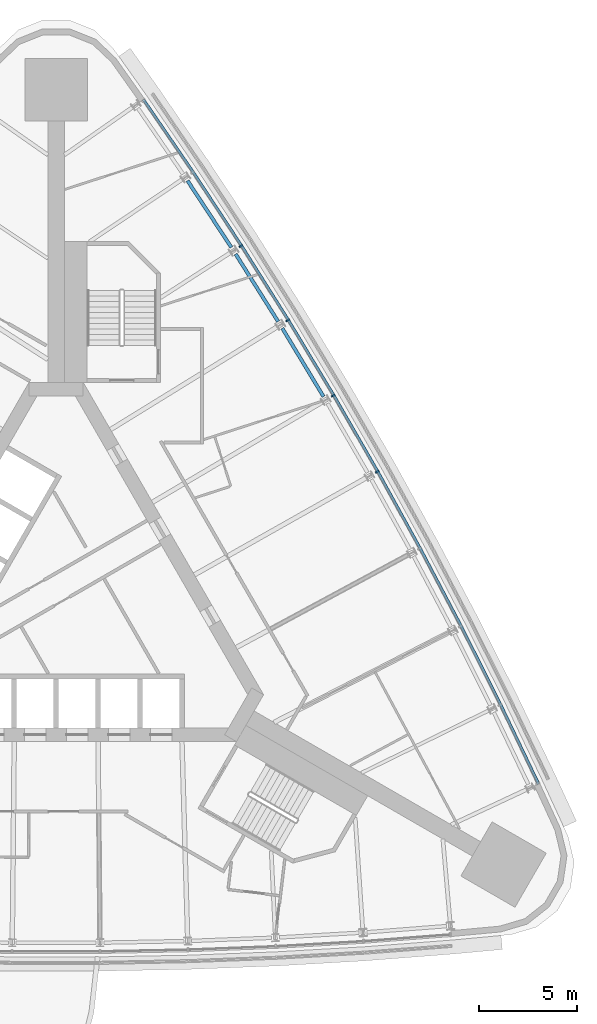
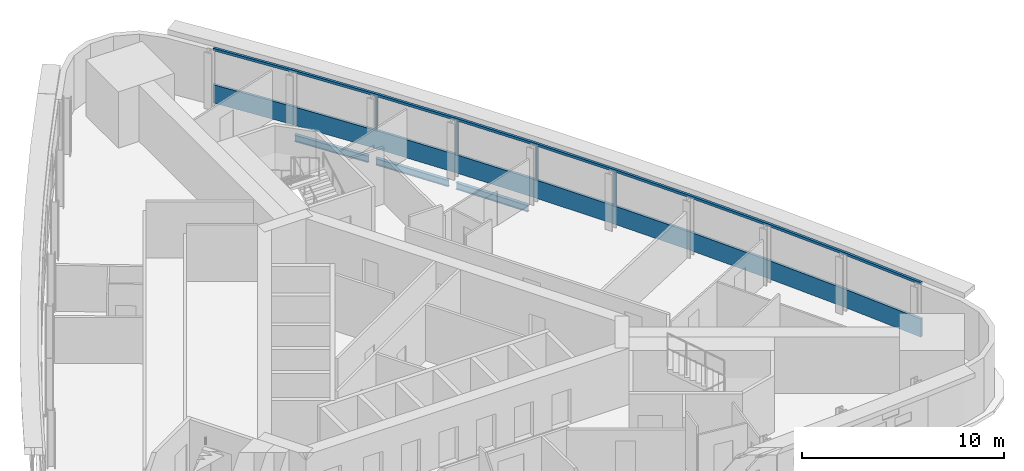
# One storey, part 8 of 15: 6 members, 3 beams, 1 element without a shape of its own.
"""IFC4 building model written with IfcOpenShell, lengths in metres."""

from ifc_helpers import new_model, si_unit, direction, frame, origin, origin_2d, place, context, subcontext, project, spatial, polyline, rectangle, i_section, outline, extrude, material, material_profile, profile_set, type_object, element, aggregate, save


model = new_model("IFC4")

# Units and contexts
model_context = context("Model", 3, precision=1e-05, world=origin(), true_north=direction((0.0, 1.0)))
body_context = subcontext(model_context, "Body", "Model", "MODEL_VIEW")
ifc_project = project(units=[si_unit("LENGTHUNIT", "METRE"), si_unit("AREAUNIT", "SQUARE_METRE"), si_unit("VOLUMEUNIT", "CUBIC_METRE"), si_unit("PLANEANGLEUNIT", "RADIAN"), si_unit("MASSUNIT", "GRAM", prefix="KILO")], contexts=[model_context])

# Site, building, storey
site_placement = place(None, origin())
site = spatial("IfcSite", under=ifc_project, at=site_placement, CompositionType="ELEMENT")
building_placement = place(site_placement, origin())
building = spatial("IfcBuilding", under=site, at=building_placement, Name="Noor Cloister Tower", CompositionType="ELEMENT")
storey_placement = place(building_placement, frame((0.0, 0.0, 69.0)))
storey = spatial("IfcBuildingStorey", under=building, at=storey_placement, Name="L17", CompositionType="ELEMENT", Elevation=69.0)

# Curtain wall, members
ifc_material_1 = material(Name="Aluminium 6063-T6 anodised", Category="aluminium")
curtain_wall_type = type_object("IfcCurtainWallType", Name="Ribbon curtain wall, lower tower CW1", PredefinedType="NOTDEFINED", material=ifc_material_1)
curtain_wall_placement = place(storey_placement, origin())
curtain_wall = element("IfcCurtainWall", 1, at=curtain_wall_placement, inside=storey, type_object=curtain_wall_type, Name="CW1 L17 NE run 3", PredefinedType="NOTDEFINED")
ifc_material_2 = material(Name="Aluminium 6063-T6 anodised", Category="aluminium")
member_type_1 = type_object("IfcMemberType", Name="Head transom CW1 150", PredefinedType="USERDEFINED", material=ifc_material_2)
member_1_placement = place(storey_placement, frame((0.0, 0.0, 3.14990234375)))
member_1 = element("IfcMember", 2, at=member_1_placement, type_object=member_type_1, Name="CW1 head transom", ObjectType="TRANSOM", PredefinedType="USERDEFINED", context=body_context, shape_type="SweptSolid", body=[
    extrude(outline(polyline([(24.748779296875, -9.064697265625), (22.805908203125, -5.005615234375), (20.78515625, -0.985107421875), (18.687255859375, 2.995849609375), (16.5126953125, 6.935546875), (14.262939453125, 10.832763671875), (11.938232421875, 14.685546875), (9.53955078125, 18.492919921875), (7.06787109375, 22.25341796875), (4.524169921875, 25.96533203125), (4.40869140625, 25.88623046875), (6.95166015625, 22.17529296875), (9.421875, 18.417236328125), (11.81884765625, 14.612060546875), (14.142333984375, 10.761474609375), (16.390869140625, 6.86669921875), (18.56396484375, 2.929443359375), (20.66064453125, -1.049072265625), (22.68017578125, -5.0673828125), (24.62255859375, -9.125), (24.748779296875, -9.064697265625)])), origin(), (0.0, 0.0, 1.0), 0.150146484375),
])
ifc_material_3 = material(Name="Aluminium 6063-T6 anodised", Category="aluminium")
ifc_material_profile_1 = material_profile(ifc_material_3, rectangle(XDim=0.199951171875, YDim=0.080078125, at=origin_2d()), Name="200 x 80 mullion")
ifc_profile_set_1 = profile_set([ifc_material_profile_1], Name="Aluminium 6063-T6 anodised")
member_type_2 = type_object("IfcMemberType", Name="Mullion CW1 80 x 200", PredefinedType="MULLION", material=ifc_profile_set_1)
member_2_placement = place(storey_placement, frame((16.42578125, 6.886474609375, 1.10009765625), z_axis=(0.0, 0.0, 1.0), x_axis=(-0.870808115959, -0.49162305192, 0.0)))
member_2 = element("IfcMember", 3, at=member_2_placement, type_object=member_type_2, Name="CW1 mullion 5", PredefinedType="MULLION", context=body_context, shape_type="SweptSolid", body=[
    extrude(rectangle(XDim=0.199951171875, YDim=0.080078125, at=origin_2d()), origin(), (0.0, 0.0, 1.0), 2.0498046875),
])
member_3_placement = place(storey_placement, frame((14.1767578125, 10.78173828125, 1.10009765625), z_axis=(0.0, 0.0, 1.0), x_axis=(-0.861162110029, -0.508330424282, 0.0)))
member_3 = element("IfcMember", 4, at=member_3_placement, type_object=member_type_2, Name="CW1 mullion 6", PredefinedType="MULLION", context=body_context, shape_type="SweptSolid", body=[
    extrude(rectangle(XDim=0.199951171875, YDim=0.080078125, at=origin_2d()), origin(), (0.0, 0.0, 1.0), 2.0498046875),
])
member_4_placement = place(storey_placement, frame((11.85302734375, 14.633056640625, 1.10009765625), z_axis=(0.0, 0.0, 1.0), x_axis=(-0.851195604462, -0.524848590496, 0.0)))
member_4 = element("IfcMember", 5, at=member_4_placement, type_object=member_type_2, Name="CW1 mullion 7", PredefinedType="MULLION", context=body_context, shape_type="SweptSolid", body=[
    extrude(rectangle(XDim=0.199951171875, YDim=0.080078125, at=origin_2d()), origin(), (0.0, 0.0, 1.0), 2.0498046875),
])
member_5_placement = place(storey_placement, frame((9.455322265625, 18.43896484375, 1.10009765625), z_axis=(0.0, 0.0, 1.0), x_axis=(-0.840912290577, -0.541171432687, 0.0)))
member_5 = element("IfcMember", 6, at=member_5_placement, type_object=member_type_2, Name="CW1 mullion 8", PredefinedType="MULLION", context=body_context, shape_type="SweptSolid", body=[
    extrude(rectangle(XDim=0.199951171875, YDim=0.080078125, at=origin_2d()), origin(), (0.0, 0.0, 1.0), 2.0498046875),
])
ifc_material_4 = material(Name="Aluminium 6063-T6 anodised", Category="aluminium")
member_type_3 = type_object("IfcMemberType", Name="Sill transom CW1 1100", PredefinedType="USERDEFINED", material=ifc_material_4)
member_6_placement = place(storey_placement, origin())
member_6 = element("IfcMember", 7, at=member_6_placement, type_object=member_type_3, Name="CW1 sill transom", ObjectType="TRANSOM", PredefinedType="USERDEFINED", context=body_context, shape_type="SweptSolid", body=[
    extrude(outline(polyline([(24.748779296875, -9.064697265625), (22.805908203125, -5.005615234375), (20.78515625, -0.985107421875), (18.687255859375, 2.995849609375), (16.5126953125, 6.935546875), (14.262939453125, 10.832763671875), (11.938232421875, 14.685546875), (9.53955078125, 18.492919921875), (7.06787109375, 22.25341796875), (4.524169921875, 25.96533203125), (4.40869140625, 25.88623046875), (6.95166015625, 22.17529296875), (9.421875, 18.417236328125), (11.81884765625, 14.612060546875), (14.142333984375, 10.761474609375), (16.390869140625, 6.86669921875), (18.56396484375, 2.929443359375), (20.66064453125, -1.049072265625), (22.68017578125, -5.0673828125), (24.62255859375, -9.125), (24.748779296875, -9.064697265625)])), origin(), (0.0, 0.0, 1.0), 1.10009765625),
])
aggregate(curtain_wall, [member_2, member_3, member_4, member_5, member_6, member_1])

# Beams
ifc_material_5 = material(Name="Steel ASTM A992 Gr 50", Category="steel")
ifc_material_profile_2 = material_profile(ifc_material_5, i_section(OverallWidth=0.177978515625, OverallDepth=0.406005859375, WebThickness=0.0078125, FlangeThickness=0.0126953125, FilletRadius=0.01025390625, at=origin_2d()), Name="W410x60")
ifc_profile_set_2 = profile_set([ifc_material_profile_2], Name="Steel ASTM A992 Gr 50")
beam_type = type_object("IfcBeamType", Name="Spandrel beam W410x60", PredefinedType="SPANDREL", material=ifc_profile_set_2)
beam_1_placement = place(storey_placement, frame((13.684814453125, 10.72607421875, -0.403076171875), z_axis=(-0.516638531393, 0.856203613564, 0.0), x_axis=(-0.856203613564, -0.516638531393, 0.0)))
element("IfcBeam", 8, at=beam_1_placement, inside=storey, type_object=beam_type, Name="Spandrel beam NE 06 L17", PredefinedType="SPANDREL", context=body_context, shape_type="SweptSolid", body=[
    extrude(i_section(OverallWidth=0.177978515625, OverallDepth=0.406005859375, WebThickness=0.0078125, FlangeThickness=0.0126953125, FilletRadius=0.01025390625, at=origin_2d()), origin(), (0.0, 0.0, 1.0), 4.085205078125),
])
beam_2_placement = place(storey_placement, frame((11.3623046875, 14.56787109375, -0.403076171875), z_axis=(-0.533057335155, 0.846079120081, 0.0), x_axis=(-0.846079120081, -0.533057335155, 0.0)))
element("IfcBeam", 9, at=beam_2_placement, inside=storey, type_object=beam_type, Name="Spandrel beam NE 07 L17", PredefinedType="SPANDREL", context=body_context, shape_type="SweptSolid", body=[
    extrude(i_section(OverallWidth=0.177978515625, OverallDepth=0.406005859375, WebThickness=0.0078125, FlangeThickness=0.0126953125, FilletRadius=0.01025390625, at=origin_2d()), origin(), (0.0, 0.0, 1.0), 4.08544921875),
])
beam_3_placement = place(storey_placement, frame((8.966064453125, 18.3642578125, -0.403076171875), z_axis=(-0.54926851385, 0.835645917655, 0.0), x_axis=(-0.835645917655, -0.54926851385, 0.0)))
element("IfcBeam", 10, at=beam_3_placement, inside=storey, type_object=beam_type, Name="Spandrel beam NE 08 L17", PredefinedType="SPANDREL", context=body_context, shape_type="SweptSolid", body=[
    extrude(i_section(OverallWidth=0.177978515625, OverallDepth=0.406005859375, WebThickness=0.0078125, FlangeThickness=0.0126953125, FilletRadius=0.01025390625, at=origin_2d()), origin(), (0.0, 0.0, 1.0), 4.085205078125),
])

save(model, "model.ifc")
